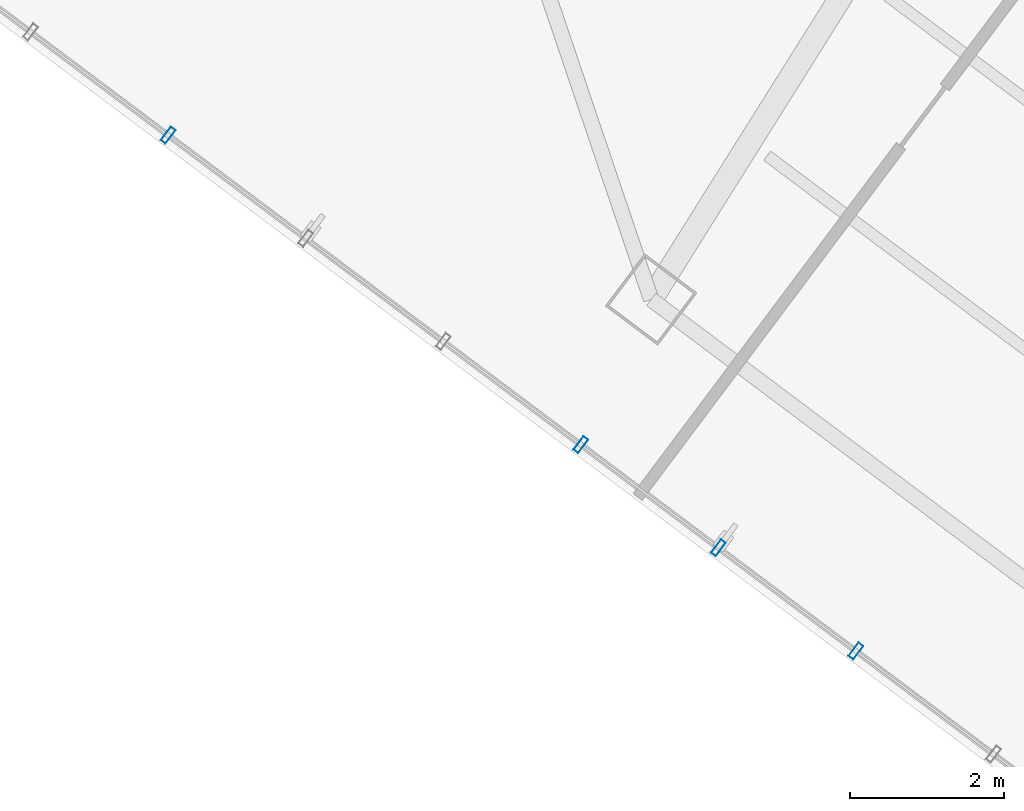
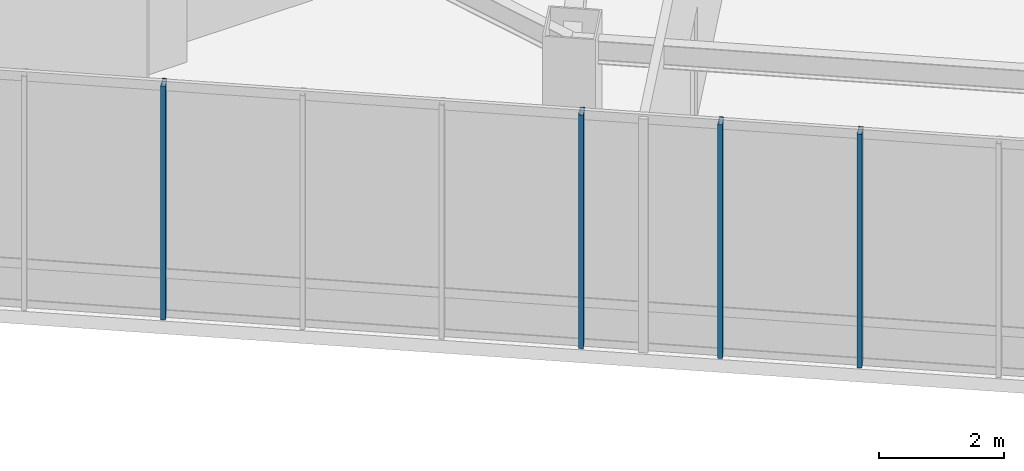
# One storey, part 2 of 30: 4 members, 1 element without a shape of its own.
"""IFC4 building model written with IfcOpenShell, lengths in metres."""

from ifc_helpers import new_model, si_unit, direction, frame, origin, origin_2d, place, context, subcontext, project, spatial, hollow_rectangle, extrude, material, layer, layer_set, material_profile, profile_set, type_object, element, aggregate, save


model = new_model("IFC4")

# Units and contexts
model_context = context("Model", 3, precision=1e-05, world=origin(), true_north=direction((0.0, 1.0)))
body_context = subcontext(model_context, "Body", "Model", "MODEL_VIEW")
ifc_project = project(units=[si_unit("LENGTHUNIT", "METRE"), si_unit("AREAUNIT", "SQUARE_METRE"), si_unit("VOLUMEUNIT", "CUBIC_METRE"), si_unit("PLANEANGLEUNIT", "RADIAN"), si_unit("MASSUNIT", "GRAM", prefix="KILO")], contexts=[model_context])

# Site, building, storey
site_placement = place(None, origin())
site = spatial("IfcSite", under=ifc_project, at=site_placement, CompositionType="ELEMENT")
building_placement = place(site_placement, origin())
building = spatial("IfcBuilding", under=site, at=building_placement, Name="Hatsunagi Terrace Concourse", CompositionType="ELEMENT")
storey_placement = place(building_placement, frame((0.0, 0.0, 130.050048828125)))
storey = spatial("IfcBuildingStorey", under=building, at=storey_placement, Name="L34", CompositionType="ELEMENT", Elevation=130.050048828125)

# Curtain wall, members
ifc_material_1 = material(Name="Anodised Aluminium Alloy 6063-T5", Category="aluminium")
ifc_layer = layer(ifc_material_1, 0.199951171875)
ifc_layer_set = layer_set([ifc_layer], Name="SkyLobbyAtrium_CW05")
curtain_wall_type = type_object("IfcCurtainWallType", Name="SkyLobbyAtrium_CW05", PredefinedType="NOTDEFINED", material=ifc_layer_set)
curtain_wall_placement = place(storey_placement, origin())
curtain_wall = element("IfcCurtainWall", 1, at=curtain_wall_placement, inside=storey, type_object=curtain_wall_type, Name="Unitised Curtain Wall CW-05 CW-L34-05", PredefinedType="NOTDEFINED")
ifc_material_2 = material(Name="Anodised Aluminium Alloy 6063-T5", Category="aluminium")
ifc_material_profile = material_profile(ifc_material_2, hollow_rectangle(XDim=0.080078125, YDim=0.219970703125, WallThickness=0.0048828125, at=origin_2d()), Name="ALU-MUL-220x80x5")
ifc_profile_set = profile_set([ifc_material_profile], Name="Anodised Aluminium Alloy 6063-T5")
member_type = type_object("IfcMemberType", Name="CurtainWallMullion_Heavy_220x80", PredefinedType="MULLION", material=ifc_profile_set)
member_1_placement = place(storey_placement, frame((41.341064453125, 11.468994140625, 0.0), z_axis=(0.0, 0.0, 1.0), x_axis=(-0.800005211305, 0.599993051531, 0.0)))
member_1 = element("IfcMember", 2, at=member_1_placement, type_object=member_type, Name="Curtain Wall Mullion MUL-01", PredefinedType="MULLION", context=body_context, shape_type="SweptSolid", body=[
    extrude(hollow_rectangle(XDim=0.080078125, YDim=0.219970703125, WallThickness=0.0048828125, at=origin_2d()), origin(), (0.0, 0.0, 1.0), 4.550048828125),
])
member_2_placement = place(storey_placement, frame((39.552978515625, 12.81103515625, 0.0), z_axis=(0.0, 0.0, 1.0), x_axis=(-0.800005211305, 0.599993051531, 0.0)))
member_2 = element("IfcMember", 3, at=member_2_placement, type_object=member_type, Name="Curtain Wall Mullion MUL-01", PredefinedType="MULLION", context=body_context, shape_type="SweptSolid", body=[
    extrude(hollow_rectangle(XDim=0.080078125, YDim=0.219970703125, WallThickness=0.0048828125, at=origin_2d()), origin(), (0.0, 0.0, 1.0), 4.550048828125),
])
member_3_placement = place(storey_placement, frame((37.764892578125, 14.152099609375, 0.0), z_axis=(0.0, 0.0, 1.0), x_axis=(-0.800005211305, 0.599993051531, 0.0)))
member_3 = element("IfcMember", 4, at=member_3_placement, type_object=member_type, Name="Curtain Wall Mullion MUL-01", PredefinedType="MULLION", context=body_context, shape_type="SweptSolid", body=[
    extrude(hollow_rectangle(XDim=0.080078125, YDim=0.219970703125, WallThickness=0.0048828125, at=origin_2d()), origin(), (0.0, 0.0, 1.0), 4.550048828125),
])
member_4_placement = place(storey_placement, frame((32.39990234375, 18.175048828125, 0.0), z_axis=(0.0, 0.0, 1.0), x_axis=(-0.800005211305, 0.599993051531, 0.0)))
member_4 = element("IfcMember", 5, at=member_4_placement, type_object=member_type, Name="Curtain Wall Mullion MUL-01", PredefinedType="MULLION", context=body_context, shape_type="SweptSolid", body=[
    extrude(hollow_rectangle(XDim=0.080078125, YDim=0.219970703125, WallThickness=0.0048828125, at=origin_2d()), origin(), (0.0, 0.0, 1.0), 4.550048828125),
])
aggregate(curtain_wall, [member_1, member_2, member_3, member_4])

save(model, "model.ifc")
